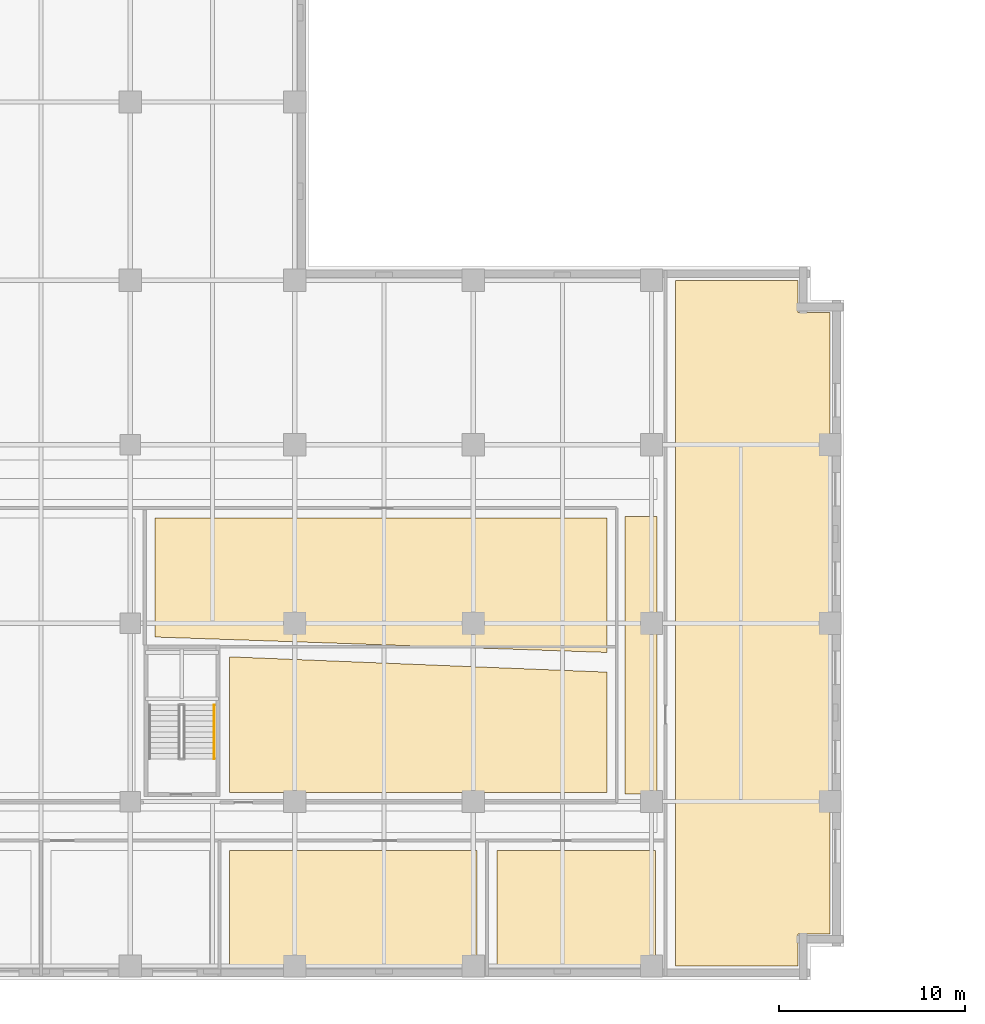
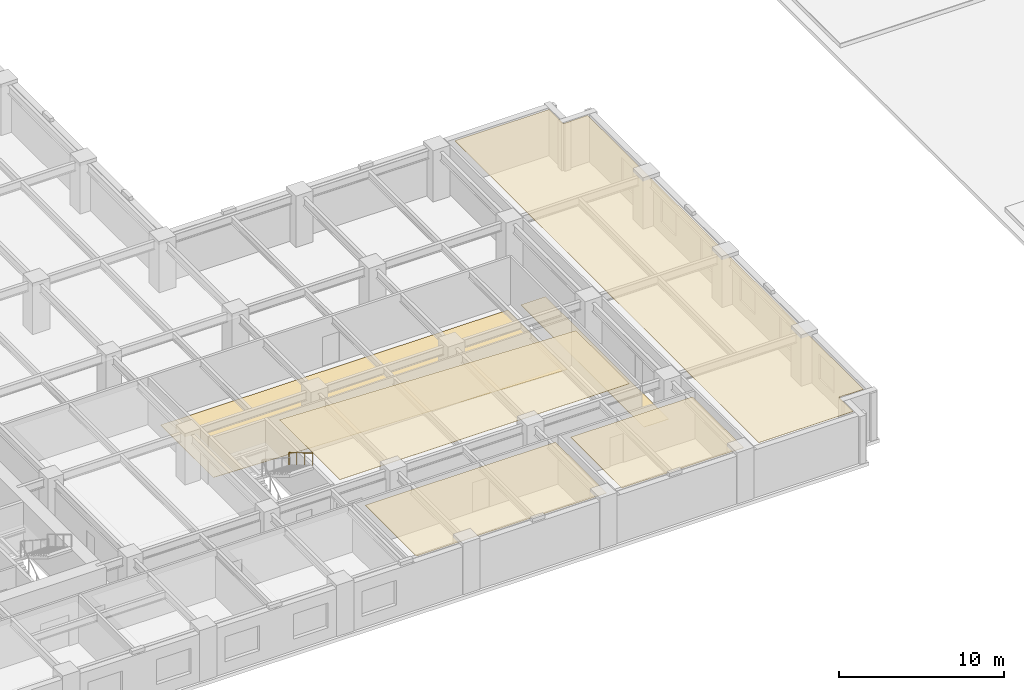
# One storey, part 11 of 14: 6 coverings, 1 railing.
"""IFC4 building model written with IfcOpenShell, lengths in metres."""

from ifc_helpers import new_model, si_unit, direction, frame, origin, origin_2d, place, context, subcontext, project, spatial, polyline, circle, outline, extrude, material, layer, layer_set, type_object, element, save


model = new_model("IFC4")

# Units and contexts
model_context = context("Model", 3, precision=1e-05, world=origin(), true_north=direction((0.0, 1.0)))
body_context = subcontext(model_context, "Body", "Model", "MODEL_VIEW")
ifc_project = project(units=[si_unit("LENGTHUNIT", "METRE"), si_unit("AREAUNIT", "SQUARE_METRE"), si_unit("VOLUMEUNIT", "CUBIC_METRE"), si_unit("PLANEANGLEUNIT", "RADIAN"), si_unit("MASSUNIT", "GRAM", prefix="KILO")], contexts=[model_context])

# Site, building, storey
site_placement = place(None, origin())
site = spatial("IfcSite", under=ifc_project, at=site_placement, CompositionType="ELEMENT")
building_placement = place(site_placement, origin())
building = spatial("IfcBuilding", under=site, at=building_placement, Name="Norrvale University Quadrangle", CompositionType="ELEMENT")
storey_placement = place(building_placement, frame((0.0, 0.0, 24.199951171875)))
storey = spatial("IfcBuildingStorey", under=building, at=storey_placement, Name="L05", CompositionType="ELEMENT", Elevation=24.199951171875)

# Coverings
ifc_material_1 = material(Name="Perforated Acoustic Mineral Ceiling")
ifc_layer_1 = layer(ifc_material_1, 0.02490234375, Name="Perforated Acoustic Mineral Ceiling")
ifc_layer_set_1 = layer_set([ifc_layer_1], Name="Perforated Acoustic Mineral Ceiling")
covering_type_1 = type_object("IfcCoveringType", Name="Covering Acoustic Ceiling 25", PredefinedType="CEILING", material=ifc_layer_set_1)
covering_1_placement = place(storey_placement, frame((0.0, 0.0, 3.51513671875)))
element("IfcCovering", 1, at=covering_1_placement, inside=storey, type_object=covering_type_1, Name="Acoustic Ceiling RM-L05-S04", PredefinedType="CEILING", context=body_context, shape_type="SweptSolid", body=[
    extrude(outline(polyline([(34.1298828125, 6.969970703125), (47.469970703125, 6.969970703125), (47.469970703125, 0.75), (34.1298828125, 0.75), (34.1298828125, 6.969970703125)])), origin(), (0.0, 0.0, 1.0), 0.02490234375),
])
covering_2_placement = place(storey_placement, frame((0.0, 0.0, 3.51513671875)))
element("IfcCovering", 2, at=covering_2_placement, inside=storey, type_object=covering_type_1, Name="Acoustic Ceiling RM-L05-S05", PredefinedType="CEILING", context=body_context, shape_type="SweptSolid", body=[
    extrude(outline(polyline([(48.530029296875, 6.969970703125), (57.070068359375, 6.969970703125), (57.070068359375, 0.75), (48.530029296875, 0.75), (48.530029296875, 6.969970703125)])), origin(), (0.0, 0.0, 1.0), 0.02490234375),
])
covering_3_placement = place(storey_placement, frame((0.0, 0.0, 3.51513671875)))
element("IfcCovering", 3, at=covering_3_placement, inside=storey, type_object=covering_type_1, Name="Acoustic Ceiling RM-L05-E01", PredefinedType="CEILING", context=body_context, shape_type="SweptSolid", body=[
    extrude(outline(polyline([(58.1298828125, 0.75), (58.1298828125, 37.64990234375), (64.72998046875, 37.64990234375), (64.72998046875, 35.929931640625), (66.449951171875, 35.929931640625), (66.449951171875, 2.469970703125), (64.72998046875, 2.469970703125), (64.72998046875, 0.75), (58.1298828125, 0.75)])), origin(), (0.0, 0.0, 1.0), 0.02490234375),
])
covering_4_placement = place(storey_placement, frame((0.0, 0.0, 3.51513671875)))
element("IfcCovering", 4, at=covering_4_placement, inside=storey, type_object=covering_type_1, Name="Acoustic Ceiling RM-L05-ISE", PredefinedType="CEILING", context=body_context, shape_type="SweptSolid", body=[
    extrude(outline(polyline([(34.14990234375, 10.080078125), (34.14990234375, 17.39111328125), (54.445068359375, 16.568115234375), (54.445068359375, 10.080078125), (34.14990234375, 10.080078125)])), origin(), (0.0, 0.0, 1.0), 0.02490234375),
])
ifc_material_2 = material(Name="Polished Terrazzo Flooring")
ifc_layer_2 = layer(ifc_material_2, 0.02490234375, Name="Polished Terrazzo Flooring")
ifc_layer_set_2 = layer_set([ifc_layer_2], Name="Polished Terrazzo Flooring")
covering_type_2 = type_object("IfcCoveringType", Name="Covering Terrazzo Floor 30", PredefinedType="FLOORING", material=ifc_layer_set_2)
covering_5_placement = place(storey_placement, origin())
element("IfcCovering", 5, at=covering_5_placement, inside=storey, type_object=covering_type_2, Name="Terrazzo Flooring RM-L05-CORR2", PredefinedType="FLOORING", context=body_context, shape_type="SweptSolid", body=[
    extrude(outline(polyline([(55.425048828125, 10.0), (55.425048828125, 24.949951171875), (57.14990234375, 24.949951171875), (57.14990234375, 10.0), (55.425048828125, 10.0)])), origin(), (0.0, 0.0, 1.0), 0.025146484375),
])
covering_6_placement = place(storey_placement, origin())
element("IfcCovering", 6, at=covering_6_placement, inside=storey, type_object=covering_type_2, Name="Terrazzo Flooring RM-L05-ILH", PredefinedType="FLOORING", context=body_context, shape_type="SweptSolid", body=[
    extrude(outline(polyline([(30.1298828125, 18.455078125), (30.1298828125, 24.8701171875), (54.445068359375, 24.8701171875), (54.445068359375, 17.6259765625), (30.1298828125, 18.455078125)])), origin(), (0.0, 0.0, 1.0), 0.025146484375),
])

# Railing
ifc_material_3 = material(Name="Stainless Steel 316L Handrail", Category="steel")
railing_type = type_object("IfcRailingType", Name="Railing Stair Handrail 920", PredefinedType="HANDRAIL", material=ifc_material_3)
railing_placement = place(storey_placement, frame((33.31005859375, 14.800048828125, 2.07275390625)))
element("IfcRailing", 7, at=railing_placement, inside=storey, type_object=railing_type, Name="Stair Upper Flight Handrail ST-04 L05", PredefinedType="HANDRAIL", context=body_context, shape_type="SweptSolid", body=[
    extrude(circle(Radius=0.02392578125, at=origin_2d()), frame((0.0, 0.0, 0.89599609375), z_axis=(0.0, -0.859160404282, 0.51170636083), x_axis=(1.0, 0.0, 0.0)), (0.0, 0.0, 1.0), 3.37548828125),
    extrude(circle(Radius=0.02099609375, at=origin_2d()), origin(), (0.0, 0.0, 1.0), 0.871826171875),
    extrude(circle(Radius=0.02099609375, at=origin_2d()), frame((0.0, -0.966796875, 0.57568359375)), (0.0, 0.0, 1.0), 0.871826171875),
    extrude(circle(Radius=0.02099609375, at=origin_2d()), frame((0.0, -1.933349609375, 1.151611328125)), (0.0, 0.0, 1.0), 0.871826171875),
    extrude(circle(Radius=0.02099609375, at=origin_2d()), frame((0.0, -2.900146484375, 1.727294921875)), (0.0, 0.0, 1.0), 0.871826171875),
])

save(model, "model.ifc")
